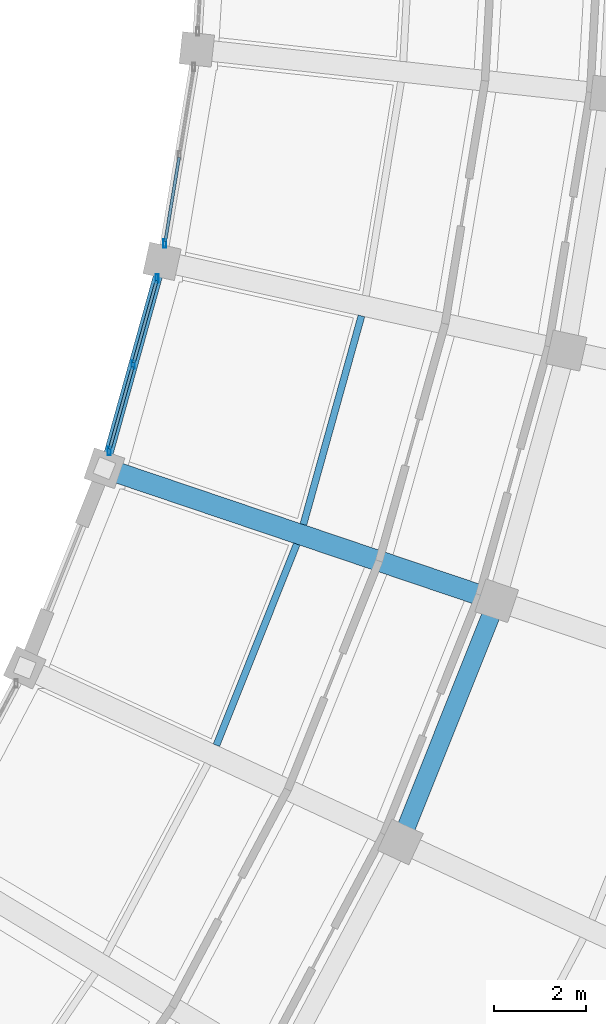
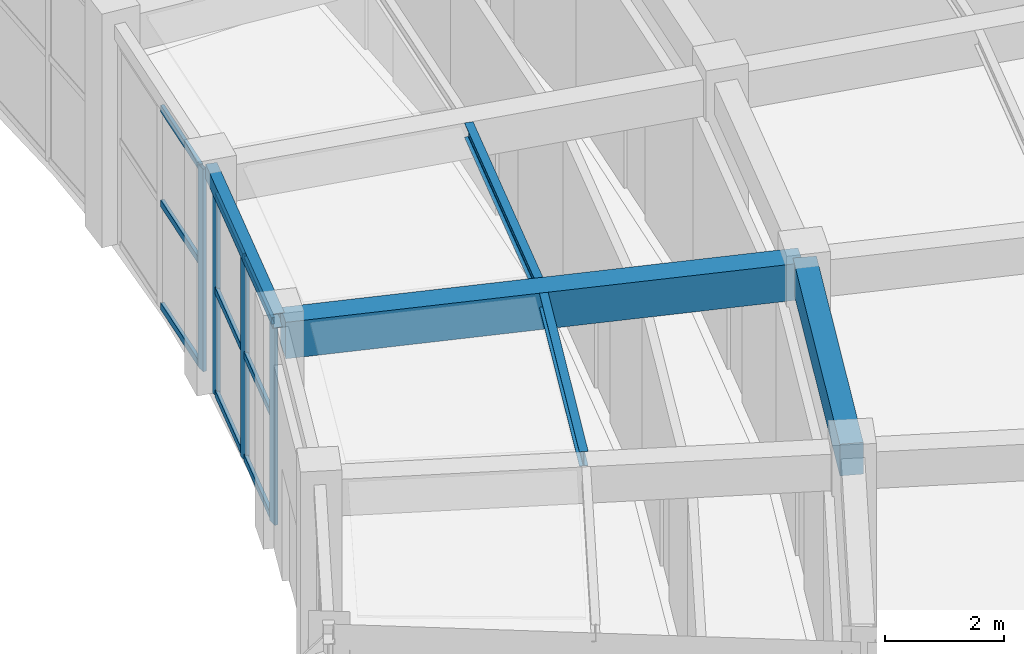
# One storey, part 66 of 108: 13 members, 5 beams, 2 elements without a shape of their own.
"""IFC4 building model written with IfcOpenShell, lengths in metres."""

import ifcopenshell
import ifcopenshell.guid

model = None  # the IFC model being written
_history = None  # IfcOwnerHistory: only IFC2X3 demands one
_inside = {}  # id of a spatial element -> (the spatial element, [elements in it])
_under = {}  # id of a project, library or spatial element -> (it, [spatial elements below it])
_declared = {}  # id of a project -> (the project, [libraries it declares])
_typed = {}  # id of a type object -> (the type object, [elements of that type])
_made_of = {}  # id of a material, layer set ... -> (it, [elements and type objects made of it])


def new_model(schema):
    """Start an empty IFC model of exactly this schema.

    Asked for "IFC4X3", IfcOpenShell would pick the latest addendum, in which some entities
    have other attributes; the version numbers below select the first issue.
    IFC2X3 requires an IfcOwnerHistory on every rooted entity: one is made here for all.
    """
    global model, _history
    if schema == "IFC4X3":
        model = ifcopenshell.file(schema_version=(4, 3, 0, 0))
    else:
        model = ifcopenshell.file(schema=schema)
    _inside.clear()
    _under.clear()
    _declared.clear()
    _typed.clear()
    _made_of.clear()
    _history = None
    if model.schema == "IFC2X3":
        org = make("IfcOrganization", Name="unknown")
        user = make(
            "IfcPersonAndOrganization",
            ThePerson=make("IfcPerson", FamilyName="unknown"),
            TheOrganization=org,
        )
        app = make(
            "IfcApplication",
            ApplicationDeveloper=org,
            Version="unknown",
            ApplicationFullName="unknown",
            ApplicationIdentifier="unknown",
        )
        _history = make(
            "IfcOwnerHistory",
            OwningUser=user,
            OwningApplication=app,
            ChangeAction="ADDED",
            CreationDate=0,
        )
    return model


def make(cls, **values):
    """One entity of the class cls with the attributes given. An attribute that is None is left unset."""
    return model.create_entity(
        cls, **{name: value for name, value in values.items() if value is not None}
    )


def rooted(cls, **values):
    """An entity with a GlobalId (a new one), such as an element, a storey or a relation."""
    return make(cls, GlobalId=ifcopenshell.guid.new(), OwnerHistory=_history, **values)


def si_unit(unit_type, name, prefix=None):
    """IfcSIUnit, for example si_unit("LENGTHUNIT", "METRE", prefix="MILLI")."""
    return make("IfcSIUnit", UnitType=unit_type, Prefix=prefix, Name=name)


def assignment(units):
    """IfcUnitAssignment: the units of a project."""
    return None if units is None else make("IfcUnitAssignment", Units=units)


def point(xyz):
    """IfcCartesianPoint."""
    return None if xyz is None else make("IfcCartesianPoint", Coordinates=xyz)


def direction(xyz):
    """IfcDirection."""
    return None if xyz is None else make("IfcDirection", DirectionRatios=xyz)


def frame(location, z_axis=None, x_axis=None):
    """IfcAxis2Placement3D, a coordinate frame: its origin and axes. An axis left out is left unset."""
    return make(
        "IfcAxis2Placement3D",
        Location=point(location),
        Axis=direction(z_axis),
        RefDirection=direction(x_axis),
    )


def frame_2d(location, x_axis=None):
    """IfcAxis2Placement2D, a coordinate frame in the plane: its origin and x axis."""
    return make(
        "IfcAxis2Placement2D", Location=point(location), RefDirection=direction(x_axis)
    )


def origin():
    """The frame at (0, 0, 0) with its axes left unset."""
    return frame((0.0, 0.0, 0.0))


def origin_2d():
    """The frame at (0, 0) in the plane with its x axis left unset."""
    return frame_2d((0.0, 0.0))


def place(relative_to, where):
    """IfcLocalPlacement: puts the frame where relative to a parent placement (None: the world)."""
    return make(
        "IfcLocalPlacement", PlacementRelTo=relative_to, RelativePlacement=where
    )


def context(
    kind, dimensions, precision=None, world=None, true_north=None, identifier=None
):
    """IfcGeometricRepresentationContext, for example the 3D "Model" context."""
    return make(
        "IfcGeometricRepresentationContext",
        ContextIdentifier=identifier,
        ContextType=kind,
        CoordinateSpaceDimension=dimensions,
        Precision=precision,
        WorldCoordinateSystem=world,
        TrueNorth=true_north,
    )


def subcontext(parent, identifier, kind, view, scale=None):
    """IfcGeometricRepresentationSubContext, for example "Body" below "Model"."""
    return make(
        "IfcGeometricRepresentationSubContext",
        ContextIdentifier=identifier,
        ContextType=kind,
        ParentContext=parent,
        TargetScale=scale,
        TargetView=view,
    )


def project(units=None, contexts=None):
    """IfcProject with its units and contexts."""
    return rooted(
        "IfcProject",
        Name="project",
        RepresentationContexts=contexts,
        UnitsInContext=assignment(units),
    )


def spatial(cls, under=None, at=None, **own):
    """A site, building, storey or space (cls), placed at a placement, below another one or the project."""
    s = rooted(cls, ObjectPlacement=at, **own)
    if under is not None:
        _under.setdefault(under.id(), (under, []))[1].append(s)
    return s


def profile(cls, at=None, kind="AREA", **sizes):
    """A parametric profile (cls). Its sizes go by their IFC names, for example OverallWidth=200.0."""
    return make(cls, ProfileType=kind, Position=at, **sizes)


def rectangle(**sizes):
    """IfcRectangleProfileDef."""
    return profile("IfcRectangleProfileDef", **sizes)


def hollow_rectangle(**sizes):
    """IfcRectangleHollowProfileDef."""
    return profile("IfcRectangleHollowProfileDef", **sizes)


def i_section(**sizes):
    """IfcIShapeProfileDef."""
    return profile("IfcIShapeProfileDef", **sizes)


def extrude(swept, where, along, depth):
    """IfcExtrudedAreaSolid: the profile swept, set in the frame where, extruded along a direction by depth."""
    return make(
        "IfcExtrudedAreaSolid",
        SweptArea=swept,
        Position=where,
        ExtrudedDirection=direction(along),
        Depth=depth,
    )


def shape(context_of_items, identifier, shape_type, items):
    """IfcShapeRepresentation: the items that make up one representation, for example the "Body"."""
    return make(
        "IfcShapeRepresentation",
        ContextOfItems=context_of_items,
        RepresentationIdentifier=identifier,
        RepresentationType=shape_type,
        Items=items,
    )


def material(Name=None, Category=None):
    """IfcMaterial."""
    return make("IfcMaterial", Name=Name, Category=Category)


def material_profile(
    of_material, cross_section, Name=None, Category=None, Priority=None
):
    """IfcMaterialProfile: a cross section and its material."""
    return make(
        "IfcMaterialProfile",
        Name=Name,
        Material=of_material,
        Profile=cross_section,
        Priority=Priority,
        Category=Category,
    )


def profile_set(profiles, Name=None, composite=None):
    """IfcMaterialProfileSet."""
    return make(
        "IfcMaterialProfileSet",
        Name=Name,
        MaterialProfiles=profiles,
        CompositeProfile=composite,
    )


def made_of(thing, what):
    """Note that an element or type object is made of a material, layer set ...; save() writes the relation."""
    if what is not None:
        _made_of.setdefault(what.id(), (what, []))[1].append(thing)
    return thing


def type_object(cls, material=None, **own):
    """A type object (cls), such as IfcWallType, which elements share."""
    return made_of(rooted(cls, **own), material)


def element(
    cls,
    number,
    at=None,
    inside=None,
    cuts=None,
    type_object=None,
    material=None,
    context=None,
    identifier="Body",
    shape_type=None,
    held_by="IfcProductDefinitionShape",
    body=None,
    shapes=None,
    **own,
):
    """One element of the class cls, such as IfcWall. Its Tag is "e" and its number.

    at: its placement. inside: the storey or other place that contains it. cuts: it is an
    opening in that element (IfcRelVoidsElement). A single representation is given by context,
    identifier, shape_type and body (its items); several are given by shapes. held_by: the class
    of the entity that holds the representations. save() writes the other relations.
    """
    e = rooted(cls, Tag="e%d" % number, ObjectPlacement=at, **own)
    if body is not None:
        shapes = [shape(context, identifier, shape_type, body)]
    if shapes is not None:
        e.Representation = make(held_by, Representations=shapes)
    if inside is not None:
        _inside.setdefault(inside.id(), (inside, []))[1].append(e)
    if cuts is not None:
        rooted(
            "IfcRelVoidsElement", RelatingBuildingElement=cuts, RelatedOpeningElement=e
        )
    if type_object is not None:
        _typed.setdefault(type_object.id(), (type_object, []))[1].append(e)
    return made_of(e, material)


def aggregate(whole, parts):
    """IfcRelAggregates: a whole, such as a stair, and the parts it consists of."""
    return rooted("IfcRelAggregates", RelatingObject=whole, RelatedObjects=parts)


def save(model, path):
    """Write the relations noted so far, then the file.

    IfcRelAggregates (storeys below a building ...), IfcRelContainedInSpatialStructure (elements
    in a storey), IfcRelDefinesByType, IfcRelAssociatesMaterial and IfcRelDeclares: one each for
    every whole, place, type object, material and project.
    """
    for whole, parts in _under.values():
        aggregate(whole, parts)
    for where, things in _inside.values():
        rooted(
            "IfcRelContainedInSpatialStructure",
            RelatedElements=things,
            RelatingStructure=where,
        )
    for kind, things in _typed.values():
        rooted("IfcRelDefinesByType", RelatedObjects=things, RelatingType=kind)
    for what, things in _made_of.values():
        rooted("IfcRelAssociatesMaterial", RelatedObjects=things, RelatingMaterial=what)
    for by, libraries in _declared.values():
        rooted("IfcRelDeclares", RelatingContext=by, RelatedDefinitions=libraries)
    model.write(path)


model = new_model("IFC4")

# Units and contexts
model_context = context("Model", 3, precision=1e-05, world=origin(), true_north=direction((0.0, 1.0)))
body_context = subcontext(model_context, "Body", "Model", "MODEL_VIEW")
ifc_project = project(units=[si_unit("LENGTHUNIT", "METRE"), si_unit("AREAUNIT", "SQUARE_METRE"), si_unit("VOLUMEUNIT", "CUBIC_METRE"), si_unit("PLANEANGLEUNIT", "RADIAN"), si_unit("MASSUNIT", "GRAM", prefix="KILO")], contexts=[model_context])

# Site, building, storey
site_placement = place(None, origin())
site = spatial("IfcSite", under=ifc_project, at=site_placement, CompositionType="ELEMENT")
building_placement = place(site_placement, origin())
building = spatial("IfcBuilding", under=site, at=building_placement, Name="Tarnveldt Headland Concert Hall", CompositionType="ELEMENT")
storey_placement = place(building_placement, origin())
storey = spatial("IfcBuildingStorey", under=building, at=storey_placement, Name="L00", CompositionType="ELEMENT", Elevation=0.0)

# Beams
ifc_material_1 = material(Name="Concrete C40/50", Category="concrete")
ifc_material_profile_1 = material_profile(ifc_material_1, rectangle(XDim=0.39990234375, YDim=0.64990234375, at=origin_2d()), Name="RC 400x650", Category="concrete")
ifc_profile_set_1 = profile_set([ifc_material_profile_1], Name="Concrete C40/50")
beam_type_1 = type_object("IfcBeamType", Name="CB-400x650", PredefinedType="BEAM", material=ifc_profile_set_1)
beam_1_placement = place(storey_placement, frame((164.69287109375, 38.1708984375, 4.195068359375), z_axis=(0.370963937019, 0.928647272882, 0.0), x_axis=(-0.928647272882, 0.370963937019, 0.0)))
element("IfcBeam", 1, at=beam_1_placement, inside=storey, type_object=beam_type_1, Name="Framing beam L00-462", PredefinedType="BEAM", context=body_context, shape_type="SweptSolid", body=[
    extrude(rectangle(XDim=0.39990234375, YDim=0.64990234375, at=origin_2d()), origin(), (0.0, 0.0, 1.0), 5.5244140625),
])
ifc_material_profile_2 = material_profile(ifc_material_1, rectangle(XDim=0.449951171875, YDim=0.75, at=origin_2d()), Name="RC 450x750", Category="concrete")
ifc_profile_set_2 = profile_set([ifc_material_profile_2], Name="Concrete C40/50")
beam_type_2 = type_object("IfcBeamType", Name="CB-450x750", PredefinedType="BEAM", material=ifc_profile_set_2)
beam_2_placement = place(storey_placement, frame((158.294921875, 46.218017578125, 4.14501953125), z_axis=(0.947399878297, -0.320052293545, 0.0), x_axis=(0.320052293545, 0.947399878297, 0.0)))
element("IfcBeam", 2, at=beam_2_placement, inside=storey, type_object=beam_type_2, Name="Framing beam L00-466", PredefinedType="BEAM", context=body_context, shape_type="SweptSolid", body=[
    extrude(rectangle(XDim=0.449951171875, YDim=0.75, at=origin_2d()), origin(), (0.0, 0.0, 1.0), 8.8798828125),
])

# Curtain wall, members
ifc_material_2 = material(Name="Marine-anodised aluminium EN AW-6063-T6", Category="aluminium")
curtain_wall_type = type_object("IfcCurtainWallType", Name="CW-C1", PredefinedType="NOTDEFINED", material=ifc_material_2)
curtain_wall_1_placement = place(storey_placement, origin())
curtain_wall_1 = element("IfcCurtainWall", 3, at=curtain_wall_1_placement, inside=storey, type_object=curtain_wall_type, Name="Curtain wall CW-L00-099", PredefinedType="NOTDEFINED")
ifc_material_profile_3 = material_profile(ifc_material_2, hollow_rectangle(XDim=0.06494140625, YDim=0.179931640625, WallThickness=0.00390625, at=origin_2d()), Name="ALU MULLION 65x180x4", Category="aluminium")
ifc_profile_set_3 = profile_set([ifc_material_profile_3], Name="Marine-anodised aluminium EN AW-6063-T6")
member_type_1 = type_object("IfcMemberType", Name="ML-180", PredefinedType="MULLION", material=ifc_profile_set_3)
member_1_placement = place(storey_placement, frame((158.3427734375, 46.613037109375, 0.0), z_axis=(0.0, 0.0, 1.0), x_axis=(1.0, 0.0, 0.0)))
member_1 = element("IfcMember", 4, at=member_1_placement, type_object=member_type_1, Name="Mullion CW-L00-099-1", PredefinedType="MULLION", context=body_context, shape_type="SweptSolid", body=[
    extrude(hollow_rectangle(XDim=0.06494140625, YDim=0.179931640625, WallThickness=0.00390625, at=origin_2d()), origin(), (0.0, 0.0, 1.0), 4.159912109375),
])
member_2_placement = place(storey_placement, frame((158.864013671875, 48.485595703125, 0.0), z_axis=(0.0, 0.0, 1.0), x_axis=(1.0, 0.0, 0.0)))
member_2 = element("IfcMember", 5, at=member_2_placement, type_object=member_type_1, Name="Mullion CW-L00-099-2", PredefinedType="MULLION", context=body_context, shape_type="SweptSolid", body=[
    extrude(hollow_rectangle(XDim=0.06494140625, YDim=0.179931640625, WallThickness=0.00390625, at=origin_2d()), origin(), (0.0, 0.0, 1.0), 4.159912109375),
])
member_3_placement = place(storey_placement, frame((159.385009765625, 50.358154296875, 0.0), z_axis=(0.0, 0.0, 1.0), x_axis=(1.0, 0.0, 0.0)))
member_3 = element("IfcMember", 6, at=member_3_placement, type_object=member_type_1, Name="Mullion CW-L00-099-3", PredefinedType="MULLION", context=body_context, shape_type="SweptSolid", body=[
    extrude(hollow_rectangle(XDim=0.06494140625, YDim=0.179931640625, WallThickness=0.00390625, at=origin_2d()), origin(), (0.0, 0.0, 1.0), 4.159912109375),
])

# Curtain wall, member
curtain_wall_2_placement = place(storey_placement, origin())
curtain_wall_2 = element("IfcCurtainWall", 7, at=curtain_wall_2_placement, inside=storey, type_object=curtain_wall_type, Name="Curtain wall CW-L00-100", PredefinedType="NOTDEFINED")
member_4_placement = place(storey_placement, frame((159.552978515625, 51.11865234375, 0.0), z_axis=(0.0, 0.0, 1.0), x_axis=(1.0, 0.0, 0.0)))
member_4 = element("IfcMember", 8, at=member_4_placement, type_object=member_type_1, Name="Mullion CW-L00-100-1", PredefinedType="MULLION", context=body_context, shape_type="SweptSolid", body=[
    extrude(hollow_rectangle(XDim=0.06494140625, YDim=0.179931640625, WallThickness=0.00390625, at=origin_2d()), origin(), (0.0, 0.0, 1.0), 4.159912109375),
])

# Beams
ifc_material_3 = material(Name="Steel S355", Category="steel")
ifc_material_profile_4 = material_profile(ifc_material_3, i_section(OverallWidth=0.14990234375, OverallDepth=0.300048828125, WebThickness=0.007080078125, FlangeThickness=0.0107421875, FilletRadius=0.014892578125, at=origin_2d()), Name="IPE300", Category="steel")
ifc_profile_set_4 = profile_set([ifc_material_profile_4], Name="Steel S355")
beam_type_3 = type_object("IfcBeamType", Name="SB-IPE300", PredefinedType="JOIST", material=ifc_profile_set_4)
for number, where, z_axis, x_axis, name in (
    (9, (160.672119140625, 40.218017578125, 4.3701171875), (0.370943390212, 0.92865548039, 0.0), (-0.92865548039, 0.370943390212, 0.0), "Framing beam L00-464"),
    (10, (162.5615234375, 45.013916015625, 4.3701171875), (0.268219103266, 0.96335793589, 0.0), (-0.96335793589, 0.268219103266, 0.0), "Framing beam L00-471"),
):
    element("IfcBeam", number, at=place(storey_placement, frame(where, z_axis=z_axis, x_axis=x_axis)), inside=storey, type_object=beam_type_3, Name=name, PredefinedType="JOIST", context=body_context, shape_type="SweptSolid", body=[
        extrude(i_section(OverallWidth=0.14990234375, OverallDepth=0.300048828125, WebThickness=0.007080078125, FlangeThickness=0.0107421875, FilletRadius=0.014892578125, at=origin_2d()), origin(), (0.0, 0.0, 1.0), 4.705810546875),
    ])
ifc_material_profile_5 = material_profile(ifc_material_3, hollow_rectangle(XDim=0.199951171875, YDim=0.300048828125, WallThickness=0.012451171875, at=origin_2d()), Name="RHS 300x200x12.5", Category="steel")
ifc_profile_set_5 = profile_set([ifc_material_profile_5], Name="Steel S355")
beam_type_4 = type_object("IfcBeamType", Name="SB-RHS300", PredefinedType="SPANDREL", material=ifc_profile_set_5)
beam_3_placement = place(storey_placement, frame((158.254150390625, 46.295166015625, 4.3701171875), z_axis=(0.268169932327, 0.963371624761, 0.0), x_axis=(-0.963371624761, 0.268169932327, 0.0)))
element("IfcBeam", 11, at=beam_3_placement, inside=storey, type_object=beam_type_4, Name="Framing beam L00-468", PredefinedType="SPANDREL", context=body_context, shape_type="SweptSolid", body=[
    extrude(hollow_rectangle(XDim=0.199951171875, YDim=0.300048828125, WallThickness=0.012451171875, at=origin_2d()), origin(), (0.0, 0.0, 1.0), 4.54736328125),
])

# Member
ifc_material_profile_6 = material_profile(ifc_material_2, hollow_rectangle(XDim=0.06494140625, YDim=0.139892578125, WallThickness=0.00390625, at=origin_2d()), Name="ALU TRANSOM 65x140x4", Category="aluminium")
ifc_profile_set_6 = profile_set([ifc_material_profile_6], Name="Marine-anodised aluminium EN AW-6063-T6")
member_type_2 = type_object("IfcMemberType", Name="TR-140", PredefinedType="MEMBER", material=ifc_profile_set_6)
member_5_placement = place(storey_placement, frame((158.3544921875, 46.656005859375, 0.050048828125), z_axis=(0.268282013169, 0.963340418238, 0.0), x_axis=(-0.963340418238, 0.268282013169, 0.0)))
member_5 = element("IfcMember", 12, at=member_5_placement, type_object=member_type_2, Name="Transom CW-L00-099-1-1", PredefinedType="MEMBER", context=body_context, shape_type="SweptSolid", body=[
    extrude(hollow_rectangle(XDim=0.06494140625, YDim=0.139892578125, WallThickness=0.00390625, at=origin_2d()), origin(), (0.0, 0.0, 1.0), 1.8544921875),
])

member_6_placement = place(storey_placement, frame((158.3544921875, 46.656005859375, 2.1630859375), z_axis=(0.268282013169, 0.963340418238, 0.0), x_axis=(-0.963340418238, 0.268282013169, 0.0)))
member_6 = element("IfcMember", 13, at=member_6_placement, type_object=member_type_2, Name="Transom CW-L00-099-1-2", PredefinedType="MEMBER", context=body_context, shape_type="SweptSolid", body=[
    extrude(hollow_rectangle(XDim=0.06494140625, YDim=0.139892578125, WallThickness=0.00390625, at=origin_2d()), origin(), (0.0, 0.0, 1.0), 1.8544921875),
])

member_7_placement = place(storey_placement, frame((158.3544921875, 46.656005859375, 4.110107421875), z_axis=(0.268282013169, 0.963340418238, 0.0), x_axis=(-0.963340418238, 0.268282013169, 0.0)))
member_7 = element("IfcMember", 14, at=member_7_placement, type_object=member_type_2, Name="Transom CW-L00-099-1-3", PredefinedType="MEMBER", context=body_context, shape_type="SweptSolid", body=[
    extrude(hollow_rectangle(XDim=0.06494140625, YDim=0.139892578125, WallThickness=0.00390625, at=origin_2d()), origin(), (0.0, 0.0, 1.0), 1.8544921875),
])

member_8_placement = place(storey_placement, frame((158.875732421875, 48.5283203125, 0.050048828125), z_axis=(0.268247995403, 0.963349891245, 0.0), x_axis=(-0.963349891245, 0.268247995403, 0.0)))
member_8 = element("IfcMember", 15, at=member_8_placement, type_object=member_type_2, Name="Transom CW-L00-099-2-1", PredefinedType="MEMBER", context=body_context, shape_type="SweptSolid", body=[
    extrude(hollow_rectangle(XDim=0.06494140625, YDim=0.139892578125, WallThickness=0.00390625, at=origin_2d()), origin(), (0.0, 0.0, 1.0), 1.854736328125),
])

member_9_placement = place(storey_placement, frame((158.875732421875, 48.5283203125, 2.1630859375), z_axis=(0.268247995403, 0.963349891245, 0.0), x_axis=(-0.963349891245, 0.268247995403, 0.0)))
member_9 = element("IfcMember", 16, at=member_9_placement, type_object=member_type_2, Name="Transom CW-L00-099-2-2", PredefinedType="MEMBER", context=body_context, shape_type="SweptSolid", body=[
    extrude(hollow_rectangle(XDim=0.06494140625, YDim=0.139892578125, WallThickness=0.00390625, at=origin_2d()), origin(), (0.0, 0.0, 1.0), 1.854736328125),
])

member_10_placement = place(storey_placement, frame((158.875732421875, 48.5283203125, 4.110107421875), z_axis=(0.268247995403, 0.963349891245, 0.0), x_axis=(-0.963349891245, 0.268247995403, 0.0)))
member_10 = element("IfcMember", 17, at=member_10_placement, type_object=member_type_2, Name="Transom CW-L00-099-2-3", PredefinedType="MEMBER", context=body_context, shape_type="SweptSolid", body=[
    extrude(hollow_rectangle(XDim=0.06494140625, YDim=0.139892578125, WallThickness=0.00390625, at=origin_2d()), origin(), (0.0, 0.0, 1.0), 1.854736328125),
])

aggregate(curtain_wall_1, [member_1, member_2, member_3, member_5, member_6, member_7, member_8, member_9, member_10])

member_11_placement = place(storey_placement, frame((159.560302734375, 51.16259765625, 0.050048828125), z_axis=(0.162178507112, 0.986761436129, 0.0), x_axis=(-0.986761436129, 0.162178507112, 0.0)))
member_11 = element("IfcMember", 18, at=member_11_placement, type_object=member_type_2, Name="Transom CW-L00-100-1-1", PredefinedType="MEMBER", context=body_context, shape_type="SweptSolid", body=[
    extrude(hollow_rectangle(XDim=0.06494140625, YDim=0.139892578125, WallThickness=0.00390625, at=origin_2d()), origin(), (0.0, 0.0, 1.0), 1.854736328125),
])

member_12_placement = place(storey_placement, frame((159.560302734375, 51.16259765625, 2.1630859375), z_axis=(0.162178507112, 0.986761436129, 0.0), x_axis=(-0.986761436129, 0.162178507112, 0.0)))
member_12 = element("IfcMember", 19, at=member_12_placement, type_object=member_type_2, Name="Transom CW-L00-100-1-2", PredefinedType="MEMBER", context=body_context, shape_type="SweptSolid", body=[
    extrude(hollow_rectangle(XDim=0.06494140625, YDim=0.139892578125, WallThickness=0.00390625, at=origin_2d()), origin(), (0.0, 0.0, 1.0), 1.854736328125),
])

member_13_placement = place(storey_placement, frame((159.560302734375, 51.16259765625, 4.110107421875), z_axis=(0.162178507112, 0.986761436129, 0.0), x_axis=(-0.986761436129, 0.162178507112, 0.0)))
member_13 = element("IfcMember", 20, at=member_13_placement, type_object=member_type_2, Name="Transom CW-L00-100-1-3", PredefinedType="MEMBER", context=body_context, shape_type="SweptSolid", body=[
    extrude(hollow_rectangle(XDim=0.06494140625, YDim=0.139892578125, WallThickness=0.00390625, at=origin_2d()), origin(), (0.0, 0.0, 1.0), 1.854736328125),
])

aggregate(curtain_wall_2, [member_4, member_11, member_12, member_13])

save(model, "model.ifc")
